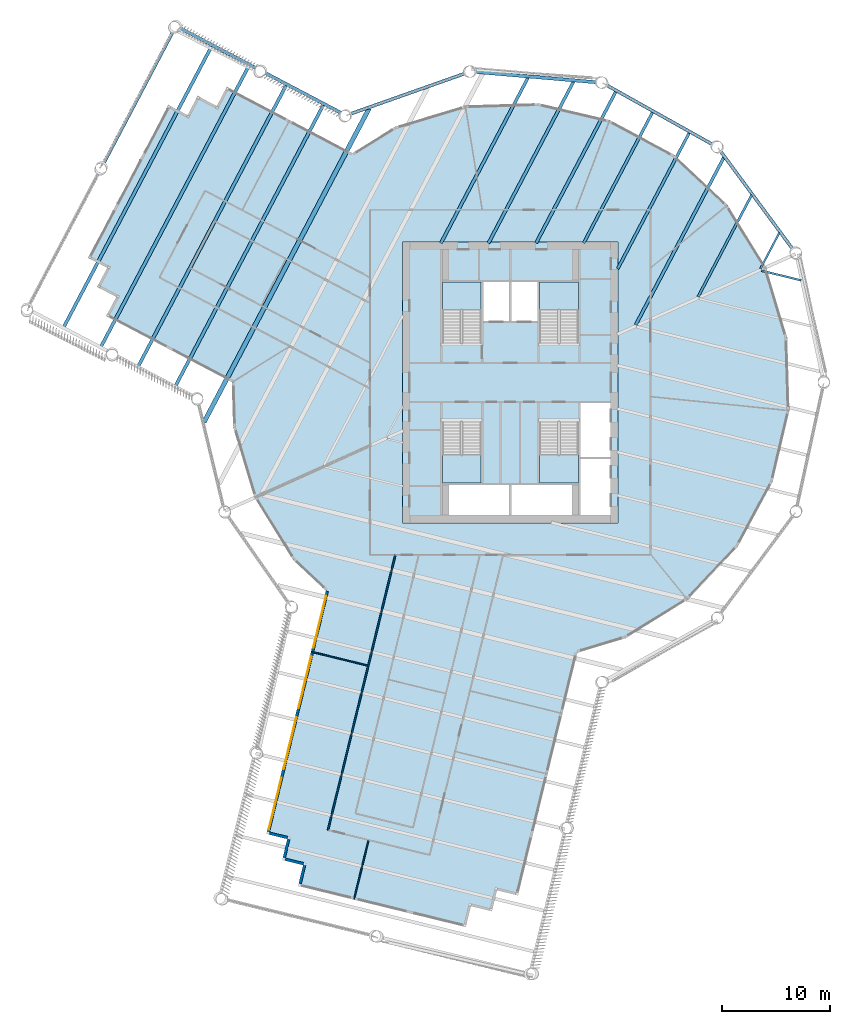
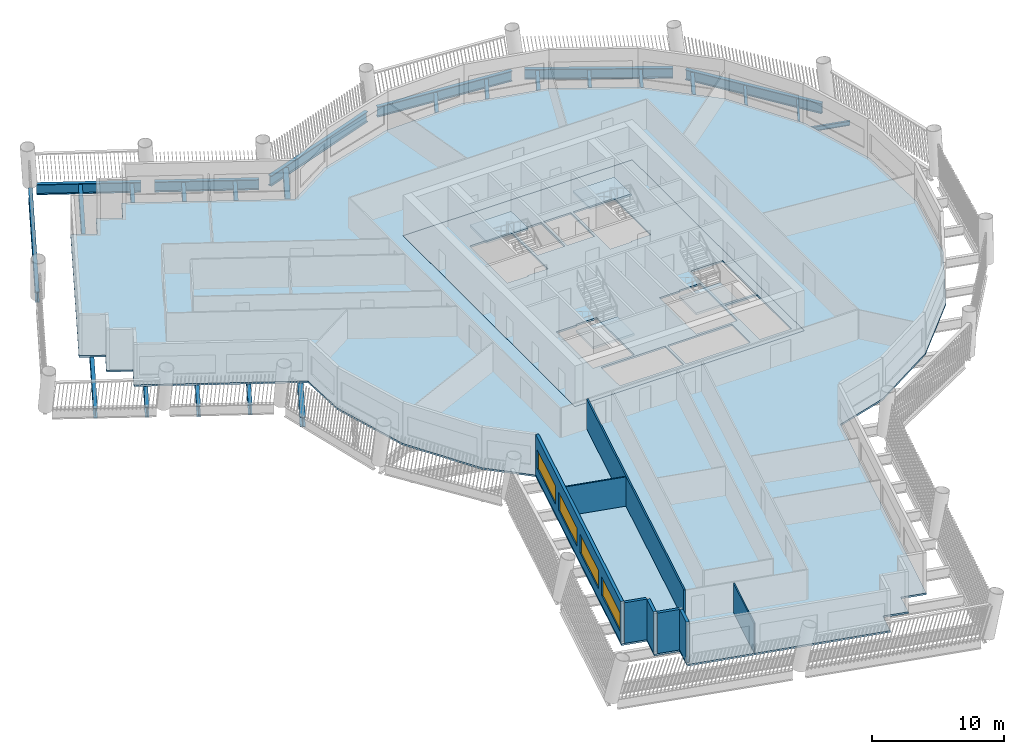
# One storey, part 2 of 15: 21 beams, 8 walls, 6 slabs, 4 windows, 4 openings, 4 elements without a shape of their own.
"""IFC4 building model written with IfcOpenShell, lengths in metres."""

from ifc_helpers import new_model, si_unit, direction, frame, frame_2d, origin, origin_2d, place, context, subcontext, project, spatial, polyline, rectangle, i_section, outline, extrude, material, layer, layer_set, material_profile, profile_set, type_object, element, fill, aggregate, save


model = new_model("IFC4")

# Units and contexts
model_context = context("Model", 3, precision=1e-05, world=origin(), true_north=direction((0.0, 1.0)))
body_context = subcontext(model_context, "Body", "Model", "MODEL_VIEW")
ifc_project = project(units=[si_unit("LENGTHUNIT", "METRE"), si_unit("AREAUNIT", "SQUARE_METRE"), si_unit("VOLUMEUNIT", "CUBIC_METRE"), si_unit("PLANEANGLEUNIT", "RADIAN"), si_unit("MASSUNIT", "GRAM", prefix="KILO")], contexts=[model_context])

# Site, building, storey
site_placement = place(None, origin())
site = spatial("IfcSite", under=ifc_project, at=site_placement, CompositionType="ELEMENT")
building_placement = place(site_placement, origin())
building = spatial("IfcBuilding", under=site, at=building_placement, Name="Tarsis Ring Headquarters", CompositionType="ELEMENT")
storey_placement = place(building_placement, frame((0.0, 0.0, 167.10009765625)))
storey = spatial("IfcBuildingStorey", under=building, at=storey_placement, Name="L38", CompositionType="ELEMENT", Elevation=167.10009765625)

# Beams
ifc_material_1 = material(Name="Structural steel S355", Category="steel")
ifc_material_profile_1 = material_profile(ifc_material_1, i_section(OverallWidth=0.177734375, OverallDepth=0.406494140625, WebThickness=0.0078125, FlangeThickness=0.0126953125, at=origin_2d()), Name="W16x40")
ifc_profile_set_1 = profile_set([ifc_material_profile_1], Name="Structural steel S355")
beam_type_1 = type_object("IfcBeamType", Name="FB Floor beam W16x40", PredefinedType="JOIST", material=ifc_profile_set_1)
for number, where, z_axis, x_axis, name in (
    (1, (23.251953125, 10.366943359375, -0.36328125), (0.971304874102, -0.237837847169, 0.0), (0.237837847169, 0.971304874102, 0.0), "Floor beam FB1"),
    (2, (24.947509765625, 13.904541015625, -0.36328125), (-0.465749077235, -0.884916830586, 0.0), (0.884916830586, -0.465749077235, 0.0), "Floor beam FB1"),
):
    element("IfcBeam", number, at=place(storey_placement, frame(where, z_axis=z_axis, x_axis=x_axis)), inside=storey, type_object=beam_type_1, Name=name, PredefinedType="JOIST", context=body_context, shape_type="SweptSolid", body=[
        extrude(i_section(OverallWidth=0.177734375, OverallDepth=0.406494140625, WebThickness=0.0078125, FlangeThickness=0.0126953125, at=origin_2d()), origin(), (0.0, 0.0, 1.0), 3.80517578125),
    ])
ifc_material_profile_2 = material_profile(ifc_material_1, i_section(OverallWidth=0.228271484375, OverallDepth=0.607177734375, WebThickness=0.01123046875, FlangeThickness=0.017333984375, at=origin_2d()), Name="W24x76")
ifc_profile_set_2 = profile_set([ifc_material_profile_2], Name="Structural steel S355")
beam_type_2 = type_object("IfcBeamType", Name="FB Floor beam W24x76", PredefinedType="JOIST", material=ifc_profile_set_2)
beam_1_placement = place(storey_placement, frame((22.375732421875, 17.391357421875, -0.463623046875), z_axis=(-0.465770918155, -0.884905334938, 0.0), x_axis=(0.884905334938, -0.465770918155, 0.0)))
element("IfcBeam", 3, at=beam_1_placement, inside=storey, type_object=beam_type_2, Name="Floor beam FB4", PredefinedType="JOIST", context=body_context, shape_type="SweptSolid", body=[
    extrude(i_section(OverallWidth=0.228271484375, OverallDepth=0.607177734375, WebThickness=0.01123046875, FlangeThickness=0.017333984375, at=origin_2d()), origin(), (0.0, 0.0, 1.0), 10.6845703125),
])
ifc_material_profile_3 = material_profile(ifc_material_1, i_section(OverallWidth=0.2666015625, OverallDepth=0.7568359375, WebThickness=0.013916015625, FlangeThickness=0.019287109375, at=origin_2d()), Name="W30x108")
ifc_profile_set_3 = profile_set([ifc_material_profile_3], Name="Structural steel S355")
beam_type_3 = type_object("IfcBeamType", Name="FB Floor beam W30x108", PredefinedType="JOIST", material=ifc_profile_set_3)
beam_2_placement = place(storey_placement, frame((16.608642578125, 23.18115234375, -0.53857421875), z_axis=(-0.465774601025, -0.884903396445, 0.0), x_axis=(0.884903396445, -0.465774601025, 0.0)))
element("IfcBeam", 4, at=beam_2_placement, inside=storey, type_object=beam_type_3, Name="Floor beam FB6", PredefinedType="JOIST", context=body_context, shape_type="SweptSolid", body=[
    extrude(i_section(OverallWidth=0.2666015625, OverallDepth=0.7568359375, WebThickness=0.013916015625, FlangeThickness=0.019287109375, at=origin_2d()), origin(), (0.0, 0.0, 1.0), 14.28857421875),
])
beam_3_placement = place(storey_placement, frame((13.20458984375, 25.087158203125, -0.53857421875), z_axis=(-0.465775684888, -0.884902825946, 0.0), x_axis=(0.884902825946, -0.465775684888, 0.0)))
element("IfcBeam", 5, at=beam_3_placement, inside=storey, type_object=beam_type_3, Name="Floor beam FB6", PredefinedType="JOIST", context=body_context, shape_type="SweptSolid", body=[
    extrude(i_section(OverallWidth=0.2666015625, OverallDepth=0.7568359375, WebThickness=0.013916015625, FlangeThickness=0.019287109375, at=origin_2d()), origin(), (0.0, 0.0, 1.0), 13.75927734375),
])
ifc_material_profile_4 = material_profile(ifc_material_1, i_section(OverallWidth=0.2919921875, OverallDepth=0.835693359375, WebThickness=0.013916015625, FlangeThickness=0.018798828125, at=origin_2d()), Name="W33x118")
ifc_profile_set_4 = profile_set([ifc_material_profile_4], Name="Structural steel S355")
beam_type_4 = type_object("IfcBeamType", Name="FB Floor beam W33x118", PredefinedType="JOIST", material=ifc_profile_set_4)
beam_4_placement = place(storey_placement, frame((19.8037109375, 20.87841796875, -0.577880859375), z_axis=(-0.465759036198, -0.884911588917, 0.0), x_axis=(0.884911588917, -0.465759036198, 0.0)))
element("IfcBeam", 6, at=beam_4_placement, inside=storey, type_object=beam_type_4, Name="Floor beam FB7", PredefinedType="JOIST", context=body_context, shape_type="SweptSolid", body=[
    extrude(i_section(OverallWidth=0.2919921875, OverallDepth=0.835693359375, WebThickness=0.013916015625, FlangeThickness=0.018798828125, at=origin_2d()), origin(), (0.0, 0.0, 1.0), 17.564208984375),
])
beam_5_placement = place(storey_placement, frame((9.800537109375, 26.9931640625, -0.577880859375), z_axis=(-0.465772357872, -0.884904577139, 0.0), x_axis=(0.884904577139, -0.465772357872, 0.0)))
element("IfcBeam", 7, at=beam_5_placement, inside=storey, type_object=beam_type_4, Name="Floor beam FB7", PredefinedType="JOIST", context=body_context, shape_type="SweptSolid", body=[
    extrude(i_section(OverallWidth=0.2919921875, OverallDepth=0.835693359375, WebThickness=0.013916015625, FlangeThickness=0.018798828125, at=origin_2d()), origin(), (0.0, 0.0, 1.0), 15.9130859375),
])
beam_6_placement = place(storey_placement, frame((5.88720703125, 27.931640625, -0.577880859375), z_axis=(-0.465768959671, -0.884906365785, 0.0), x_axis=(0.884906365785, -0.465768959671, 0.0)))
element("IfcBeam", 8, at=beam_6_placement, inside=storey, type_object=beam_type_4, Name="Floor beam FB7", PredefinedType="JOIST", context=body_context, shape_type="SweptSolid", body=[
    extrude(i_section(OverallWidth=0.2919921875, OverallDepth=0.835693359375, WebThickness=0.013916015625, FlangeThickness=0.018798828125, at=origin_2d()), origin(), (0.0, 0.0, 1.0), 16.9736328125),
])
beam_7_placement = place(storey_placement, frame((1.67041015625, 28.29345703125, -0.577880859375), z_axis=(-0.465768429798, -0.884906644683, 0.0), x_axis=(0.884906644683, -0.465768429798, 0.0)))
element("IfcBeam", 9, at=beam_7_placement, inside=storey, type_object=beam_type_4, Name="Floor beam FB7", PredefinedType="JOIST", context=body_context, shape_type="SweptSolid", body=[
    extrude(i_section(OverallWidth=0.2919921875, OverallDepth=0.835693359375, WebThickness=0.013916015625, FlangeThickness=0.018798828125, at=origin_2d()), origin(), (0.0, 0.0, 1.0), 17.38232421875),
])
ifc_material_profile_5 = material_profile(ifc_material_1, i_section(OverallWidth=0.309814453125, OverallDepth=0.949951171875, WebThickness=0.0244140625, FlangeThickness=0.0439453125, at=origin_2d()), Name="W36x256")
ifc_profile_set_5 = profile_set([ifc_material_profile_5], Name="Structural steel S355")
beam_type_5 = type_object("IfcBeamType", Name="FB Floor beam W36x256", PredefinedType="JOIST", material=ifc_profile_set_5)
beam_8_placement = place(storey_placement, frame((-17.2900390625, 25.763427734375, -0.635009765625), z_axis=(-0.465769975885, -0.884905830902, 0.0), x_axis=(0.884905830902, -0.465769975885, 0.0)))
element("IfcBeam", 10, at=beam_8_placement, inside=storey, type_object=beam_type_5, Name="Floor beam FB11", PredefinedType="JOIST", context=body_context, shape_type="SweptSolid", body=[
    extrude(i_section(OverallWidth=0.309814453125, OverallDepth=0.949951171875, WebThickness=0.0244140625, FlangeThickness=0.0439453125, at=origin_2d()), origin(), (0.0, 0.0, 1.0), 29.489990234375),
])
beam_9_placement = place(storey_placement, frame((-20.7412109375, 27.580078125, -0.635009765625), z_axis=(-0.465766563721, -0.884907626885, 0.0), x_axis=(0.884907626885, -0.465766563721, 0.0)))
element("IfcBeam", 11, at=beam_9_placement, inside=storey, type_object=beam_type_5, Name="Floor beam FB11", PredefinedType="JOIST", context=body_context, shape_type="SweptSolid", body=[
    extrude(i_section(OverallWidth=0.309814453125, OverallDepth=0.949951171875, WebThickness=0.0244140625, FlangeThickness=0.0439453125, at=origin_2d()), origin(), (0.0, 0.0, 1.0), 29.490234375),
])
for number, where, z_axis, x_axis, name in (
    (12, (-24.1923828125, 29.396484375, -0.635009765625), (-0.465769975885, -0.884905830902, 0.0), (0.884905830902, -0.465769975885, 0.0), "Floor beam FB11"),
    (13, (-27.6435546875, 31.212890625, -0.635009765625), (-0.465769975885, -0.884905830902, 0.0), (0.884905830902, -0.465769975885, 0.0), "Floor beam FB11"),
):
    element("IfcBeam", number, at=place(storey_placement, frame(where, z_axis=z_axis, x_axis=x_axis)), inside=storey, type_object=beam_type_5, Name=name, PredefinedType="JOIST", context=body_context, shape_type="SweptSolid", body=[
        extrude(i_section(OverallWidth=0.309814453125, OverallDepth=0.949951171875, WebThickness=0.0244140625, FlangeThickness=0.0439453125, at=origin_2d()), origin(), (0.0, 0.0, 1.0), 29.489990234375),
    ])
ifc_material_profile_6 = material_profile(ifc_material_1, i_section(OverallWidth=0.42431640625, OverallDepth=0.947509765625, WebThickness=0.02392578125, FlangeThickness=0.042724609375, at=origin_2d()), Name="W36x302")
ifc_profile_set_6 = profile_set([ifc_material_profile_6], Name="Structural steel S355")
beam_type_6 = type_object("IfcBeamType", Name="FB Floor beam W36x302", PredefinedType="JOIST", material=ifc_profile_set_6)
beam_10_placement = place(storey_placement, frame((-13.070556640625, 25.406982421875, -0.6337890625), z_axis=(-0.465768163792, -0.884906784694, 0.0), x_axis=(0.884906784694, -0.465768163792, 0.0)))
element("IfcBeam", 14, at=beam_10_placement, inside=storey, type_object=beam_type_6, Name="Floor beam FB12", PredefinedType="JOIST", context=body_context, shape_type="SweptSolid", body=[
    extrude(i_section(OverallWidth=0.42431640625, OverallDepth=0.947509765625, WebThickness=0.02392578125, FlangeThickness=0.042724609375, at=origin_2d()), origin(), (0.0, 0.0, 1.0), 32.875244140625),
])
beam_type_7 = type_object("IfcBeamType", Name="XG Ring girder W36x256", PredefinedType="BEAM", material=ifc_profile_set_5)
beam_11_placement = place(storey_placement, frame((26.18896484375, 12.330810546875, -0.47509765625), z_axis=(-0.593577482735, 0.804776846082, 0.0), x_axis=(-0.804776846082, -0.593577482735, 0.0)))
element("IfcBeam", 15, at=beam_11_placement, inside=storey, type_object=beam_type_7, Name="Ring girder XG2", PredefinedType="BEAM", context=body_context, shape_type="SweptSolid", body=[
    extrude(i_section(OverallWidth=0.309814453125, OverallDepth=0.949951171875, WebThickness=0.0244140625, FlangeThickness=0.0439453125, at=origin_2d()), origin(), (0.0, 0.0, 1.0), 11.242919921875),
])
for number, where, z_axis, x_axis, name in (
    (16, (18.778076171875, 22.029541015625, -0.47509765625), (-0.872533045363, 0.48855509899, 0.0), (-0.48855509899, -0.872533045363, 0.0), "Ring girder XG2"),
    (17, (8.0283203125, 27.81103515625, -0.47509765625), (-0.996338937471, 0.08549106198, 0.0), (-0.08549106198, -0.996338937471, 0.0), "Ring girder XG2"),
):
    element("IfcBeam", number, at=place(storey_placement, frame(where, z_axis=z_axis, x_axis=x_axis)), inside=storey, type_object=beam_type_7, Name=name, PredefinedType="BEAM", context=body_context, shape_type="SweptSolid", body=[
        extrude(i_section(OverallWidth=0.309814453125, OverallDepth=0.949951171875, WebThickness=0.0244140625, FlangeThickness=0.0439453125, at=origin_2d()), origin(), (0.0, 0.0, 1.0), 11.2431640625),
    ])
beam_12_placement = place(storey_placement, frame((-4.14892578125, 28.647705078125, -0.47509765625), z_axis=(-0.942995945943, -0.33280421562, 0.0), x_axis=(0.33280421562, -0.942995945943, 0.0)))
element("IfcBeam", 18, at=beam_12_placement, inside=storey, type_object=beam_type_7, Name="Ring girder XG2", PredefinedType="BEAM", context=body_context, shape_type="SweptSolid", body=[
    extrude(i_section(OverallWidth=0.309814453125, OverallDepth=0.949951171875, WebThickness=0.0244140625, FlangeThickness=0.0439453125, at=origin_2d()), origin(), (0.0, 0.0, 1.0), 11.242919921875),
])
for number, where, z_axis, x_axis, name in (
    (19, (-15.67041015625, 24.972900390625, -0.47509765625), (-0.884901455047, 0.465778289378, 0.0), (-0.465778289378, -0.884901455047, 0.0), "Ring girder XG2"),
    (20, (-23.548095703125, 29.119384765625, -0.47509765625), (-0.884901455047, 0.465778289378, 0.0), (-0.465778289378, -0.884901455047, 0.0), "Ring girder XG2"),
):
    element("IfcBeam", number, at=place(storey_placement, frame(where, z_axis=z_axis, x_axis=x_axis)), inside=storey, type_object=beam_type_7, Name=name, PredefinedType="BEAM", context=body_context, shape_type="SweptSolid", body=[
        extrude(i_section(OverallWidth=0.309814453125, OverallDepth=0.949951171875, WebThickness=0.0244140625, FlangeThickness=0.0439453125, at=origin_2d()), origin(), (0.0, 0.0, 1.0), 7.896484375),
    ])
beam_13_placement = place(storey_placement, frame((-31.21484375, 32.58642578125, -0.47509765625), z_axis=(-0.465763939668, -0.884909008037, 0.0), x_axis=(0.884909008037, -0.465763939668, 0.0)))
element("IfcBeam", 21, at=beam_13_placement, inside=storey, type_object=beam_type_7, Name="Ring girder XG2", PredefinedType="BEAM", context=body_context, shape_type="SweptSolid", body=[
    extrude(i_section(OverallWidth=0.309814453125, OverallDepth=0.949951171875, WebThickness=0.0244140625, FlangeThickness=0.0439453125, at=origin_2d()), origin(), (0.0, 0.0, 1.0), 13.794189453125),
])

# Slab
ifc_material_2 = material(Name="Concrete C40/50", Category="concrete")
ifc_layer_1 = layer(ifc_material_2, 0.159912109375)
ifc_layer_set_1 = layer_set([ifc_layer_1], Name="Core floor slab 160 C40/50")
slab_type_1 = type_object("IfcSlabType", Name="Core floor slab 160 C40/50", PredefinedType="FLOOR", material=ifc_layer_set_1)
slab_1_placement = place(storey_placement, frame((0.0, 0.0, -0.16015625)))
element("IfcSlab", 22, at=slab_1_placement, inside=storey, type_object=slab_type_1, Name="L38 core floor slab", PredefinedType="FLOOR", context=body_context, shape_type="SweptSolid", body=[
    extrude(outline(polyline([(-10.0, -13.0), (10.0, -13.0), (10.0, 13.0), (-10.0, 13.0), (-10.0, -13.0)]), holes=[polyline([(-2.5, 5.699951171875), (-0.10009765625, 5.699951171875), (-0.10009765625, 9.300048828125), (-2.5, 9.300048828125), (-2.5, 5.699951171875)]), polyline([(0.10009765625, 5.699951171875), (2.5, 5.699951171875), (2.5, 9.300048828125), (0.10009765625, 9.300048828125), (0.10009765625, 5.699951171875)]), polyline([(6.5, -12.300048828125), (9.300048828125, -12.300048828125), (9.300048828125, -7.10009765625), (6.5, -7.10009765625), (6.5, -12.300048828125)]), polyline([(6.5, -6.89990234375), (9.300048828125, -6.89990234375), (9.300048828125, -1.89990234375), (6.5, -1.89990234375), (6.5, -6.89990234375)]), polyline([(-5.699951171875, -12.300048828125), (-0.10009765625, -12.300048828125), (-0.10009765625, -9.5), (-5.699951171875, -9.5), (-5.699951171875, -12.300048828125)]), polyline([(0.10009765625, -12.300048828125), (5.699951171875, -12.300048828125), (5.699951171875, -9.5), (0.10009765625, -9.5), (0.10009765625, -12.300048828125)]), polyline([(-2.699951171875, 3.760009765625), (-2.699951171875, 9.300048828125), (-6.300048828125, 9.300048828125), (-6.300048828125, 3.659912109375), (-4.4599609375, 3.659912109375), (-4.4599609375, 3.760009765625), (-2.699951171875, 3.760009765625)]), polyline([(6.300048828125, 3.760009765625), (6.300048828125, 9.300048828125), (2.699951171875, 9.300048828125), (2.699951171875, 3.659912109375), (4.5400390625, 3.659912109375), (4.5400390625, 3.760009765625), (6.300048828125, 3.760009765625)]), polyline([(-6.300048828125, -3.760009765625), (-6.300048828125, -9.300048828125), (-2.699951171875, -9.300048828125), (-2.699951171875, -3.659912109375), (-4.5400390625, -3.659912109375), (-4.5400390625, -3.760009765625), (-6.300048828125, -3.760009765625)]), polyline([(2.699951171875, -3.760009765625), (2.699951171875, -9.300048828125), (6.300048828125, -9.300048828125), (6.300048828125, -3.659912109375), (4.4599609375, -3.659912109375), (4.4599609375, -3.760009765625), (2.699951171875, -3.760009765625)])]), origin(), (0.0, 0.0, 1.0), 0.16015625),
])

# Stair, slab
ifc_material_3 = material(Name="Core stair 1760")
stair_type = type_object("IfcStairType", Name="Core stair 1760", PredefinedType="HALF_TURN_STAIR", material=ifc_material_3)
stair_1_placement = place(storey_placement, origin())
stair_1 = element("IfcStair", 23, at=stair_1_placement, inside=storey, type_object=stair_type, Name="L38 Firefighting stair", PredefinedType="HALF_TURN_STAIR")
ifc_layer_2 = layer(ifc_material_2, 0.199951171875)
ifc_layer_set_2 = layer_set([ifc_layer_2], Name="Core stair landing 200")
slab_type_2 = type_object("IfcSlabType", Name="Core stair landing 200", PredefinedType="LANDING", material=ifc_layer_set_2)
slab_2_placement = place(storey_placement, frame((0.0, 0.0, 1.75)))
slab_2 = element("IfcSlab", 24, at=slab_2_placement, type_object=slab_type_2, Name="Stair ST1 landing 1", PredefinedType="LANDING", context=body_context, shape_type="SweptSolid", body=[
    extrude(outline(polyline([(-2.699951171875, 6.739990234375), (-2.699951171875, 9.300048828125), (-6.300048828125, 9.300048828125), (-6.300048828125, 6.739990234375), (-2.699951171875, 6.739990234375)])), origin(), (0.0, 0.0, 1.0), 0.199951171875),
])
aggregate(stair_1, [slab_2])

stair_2_placement = place(storey_placement, origin())
stair_2 = element("IfcStair", 25, at=stair_2_placement, inside=storey, type_object=stair_type, Name="L38 Exit stair B", PredefinedType="HALF_TURN_STAIR")
slab_3_placement = place(storey_placement, frame((0.0, 0.0, 1.75)))
slab_3 = element("IfcSlab", 26, at=slab_3_placement, type_object=slab_type_2, Name="Stair ST2 landing 1", PredefinedType="LANDING", context=body_context, shape_type="SweptSolid", body=[
    extrude(outline(polyline([(6.300048828125, 6.739990234375), (6.300048828125, 9.300048828125), (2.699951171875, 9.300048828125), (2.699951171875, 6.739990234375), (6.300048828125, 6.739990234375)])), origin(), (0.0, 0.0, 1.0), 0.199951171875),
])
aggregate(stair_2, [slab_3])

stair_3_placement = place(storey_placement, origin())
stair_3 = element("IfcStair", 27, at=stair_3_placement, inside=storey, type_object=stair_type, Name="L38 Exit stair C", PredefinedType="HALF_TURN_STAIR")
slab_4_placement = place(storey_placement, frame((0.0, 0.0, 1.75)))
slab_4 = element("IfcSlab", 28, at=slab_4_placement, type_object=slab_type_2, Name="Stair ST3 landing 1", PredefinedType="LANDING", context=body_context, shape_type="SweptSolid", body=[
    extrude(outline(polyline([(-6.300048828125, -6.739990234375), (-6.300048828125, -9.300048828125), (-2.699951171875, -9.300048828125), (-2.699951171875, -6.739990234375), (-6.300048828125, -6.739990234375)])), origin(), (0.0, 0.0, 1.0), 0.199951171875),
])
aggregate(stair_3, [slab_4])

stair_4_placement = place(storey_placement, origin())
stair_4 = element("IfcStair", 29, at=stair_4_placement, inside=storey, type_object=stair_type, Name="L38 Exit stair D", PredefinedType="HALF_TURN_STAIR")
slab_5_placement = place(storey_placement, frame((0.0, 0.0, 1.75)))
slab_5 = element("IfcSlab", 30, at=slab_5_placement, type_object=slab_type_2, Name="Stair ST4 landing 1", PredefinedType="LANDING", context=body_context, shape_type="SweptSolid", body=[
    extrude(outline(polyline([(2.699951171875, -6.739990234375), (2.699951171875, -9.300048828125), (6.300048828125, -9.300048828125), (6.300048828125, -6.739990234375), (2.699951171875, -6.739990234375)])), origin(), (0.0, 0.0, 1.0), 0.199951171875),
])
aggregate(stair_4, [slab_5])

# Slab
ifc_material_4 = material(Name="Concrete C35/45", Category="concrete")
ifc_layer_3 = layer(ifc_material_4, 0.159912109375)
ifc_layer_set_3 = layer_set([ifc_layer_3], Name="FS Composite floor slab 160")
slab_type_3 = type_object("IfcSlabType", Name="FS Composite floor slab 160", PredefinedType="FLOOR", material=ifc_layer_set_3)
slab_6_placement = place(storey_placement, frame((0.0, 0.0, -0.16015625)))
element("IfcSlab", 31, at=slab_6_placement, inside=storey, type_object=slab_type_3, Name="Floor slab L38", PredefinedType="FLOOR", context=body_context, shape_type="SweptSolid", body=[
    extrude(outline(polyline([(-25.789794921875, 0.013671875), (-25.66259765625, -4.1748046875), (-23.707763671875, -10.674560546875), (-20.136962890625, -16.44677734375), (-17.08544921875, -19.318603515625), (-22.596923828125, -41.825439453125), (-20.654296875, -42.30126953125), (-21.130126953125, -44.243896484375), (-19.1875, -44.719482421875), (-19.6630859375, -46.662109375), (-4.122314453125, -50.4677734375), (-3.646728515625, -48.525390625), (-1.7041015625, -49.0009765625), (-1.228271484375, -47.058349609375), (0.71435546875, -47.5341796875), (6.220947265625, -25.047119140625), (10.674560546875, -23.707763671875), (16.44677734375, -20.136962890625), (21.098388671875, -15.194091796875), (24.31201171875, -9.2158203125), (25.86865234375, -2.609375), (25.66259765625, 4.1748046875), (23.707763671875, 10.674560546875), (20.136962890625, 16.44677734375), (15.194091796875, 21.098388671875), (9.2158203125, 24.31201171875), (2.609375, 25.86865234375), (-4.1748046875, 25.66259765625), (-10.674560546875, 23.707763671875), (-14.629638671875, 21.260986328125), (-26.267333984375, 27.386474609375), (-27.198974609375, 25.61669921875), (-28.96875, 26.54833984375), (-29.900390625, 24.778564453125), (-31.670166015625, 25.7099609375), (-39.122314453125, 11.551513671875), (-37.3525390625, 10.619873046875), (-38.2841796875, 8.85009765625), (-36.514404296875, 7.918701171875), (-37.44580078125, 6.14892578125), (-25.789794921875, 0.013671875)]), holes=[polyline([(-10.0, -13.0), (-10.0, 13.0), (10.0, 13.0), (10.0, -13.0), (-10.0, -13.0)])]), origin(), (0.0, 0.0, 1.0), 0.16015625),
])

# Walls
ifc_material_5 = material(Name="Gypsum board on steel studs", Category="steel")
ifc_layer_4 = layer(ifc_material_5, 0.10009765625)
ifc_layer_set_4 = layer_set([ifc_layer_4], Name="FL partition 100 unrated")
wall_type_1 = type_object("IfcWallType", Name="FL partition 100 unrated", PredefinedType="PARTITIONING", material=ifc_layer_set_4)
wall_1_placement = place(storey_placement, frame((-14.474365234375, -47.88134765625, 0.0), z_axis=(0.0, 0.0, 1.0), x_axis=(0.23787968026, 0.971294629718, 0.0)))
element("IfcWall", 32, at=wall_1_placement, inside=storey, type_object=wall_type_1, Name="Partition PW3", PredefinedType="PARTITIONING", context=body_context, shape_type="SweptSolid", body=[
    extrude(rectangle(XDim=5.580078125, YDim=0.10009765625, at=frame_2d((2.7900390625, 0.0))), origin(), (0.0, 0.0, 1.0), 2.699951171875),
])
wall_2_placement = place(storey_placement, frame((-18.41455078125, -24.956298828125, 0.0), z_axis=(0.0, 0.0, 1.0), x_axis=(0.971306364965, -0.237831758557, 0.0)))
element("IfcWall", 33, at=wall_2_placement, inside=storey, type_object=wall_type_1, Name="Partition PW3", PredefinedType="PARTITIONING", context=body_context, shape_type="SweptSolid", body=[
    extrude(rectangle(XDim=5.340087890625, YDim=0.10009765625, at=frame_2d((2.669921875, 0.0))), origin(), (0.0, 0.0, 1.0), 2.699951171875),
])
ifc_layer_5 = layer(ifc_material_5, 0.125)
ifc_layer_set_5 = layer_set([ifc_layer_5], Name="FL partition 125 EI 60 H2770")
wall_type_2 = type_object("IfcWallType", Name="FL partition 125 EI 60 H2770", PredefinedType="PARTITIONING", material=ifc_layer_set_5)
wall_3_placement = place(storey_placement, frame((-16.889404296875, -41.472900390625, 0.0), z_axis=(0.0, 0.0, 1.0), x_axis=(0.237860663792, 0.971299286842, 0.0)))
element("IfcWall", 34, at=wall_3_placement, inside=storey, type_object=wall_type_2, Name="Partition PW1", PredefinedType="PARTITIONING", context=body_context, shape_type="SweptSolid", body=[
    extrude(rectangle(XDim=26.2255859375, YDim=0.125, at=frame_2d((13.11279296875, 0.0))), origin(), (0.0, 0.0, 1.0), 2.77001953125),
])

# Wall, openings, windows
ifc_material_6 = material(Name="Terracotta clad insulated panel wall", Category="masonry")
ifc_layer_6 = layer(ifc_material_6, 0.25)
ifc_layer_set_6 = layer_set([ifc_layer_6], Name="Facade wall terracotta panel 250")
wall_type_3 = type_object("IfcWallType", Name="Facade wall terracotta panel 250", PredefinedType="STANDARD", material=ifc_layer_set_6)
wall_4_placement = place(storey_placement, frame((-16.9638671875, -19.348388671875, 0.0), z_axis=(0.0, 0.0, 1.0), x_axis=(-0.237856425346, -0.971300324782, 0.0)))
wall_4 = element("IfcWall", 35, at=wall_4_placement, inside=storey, type_object=wall_type_3, Name="External wall L38-06", PredefinedType="STANDARD", context=body_context, shape_type="SweptSolid", body=[
    extrude(rectangle(XDim=22.922119140625, YDim=0.25, at=frame_2d((11.4609375, 0.0))), origin(), (0.0, 0.0, 1.0), 3.739990234375),
])
opening_1_placement = place(wall_4_placement, frame((0.42138671875, 0.0, 0.89990234375)))
opening_1 = element("IfcOpeningElement", 36, at=opening_1_placement, cuts=wall_4, Name="Opening WN05", PredefinedType="OPENING", context=body_context, shape_type="SweptSolid", body=[
    extrude(rectangle(XDim=4.949951171875, YDim=1.699951171875, at=frame_2d((2.47509765625, 0.85009765625))), frame((0.0, 0.135009765625, 0.0), z_axis=(0.0, -1.0, 0.0), x_axis=(1.0, 0.0, 0.0)), (0.0, 0.0, 1.0), 0.27001953125),
])
opening_2_placement = place(wall_4_placement, frame((6.214599609375, 0.0, 0.89990234375)))
opening_2 = element("IfcOpeningElement", 37, at=opening_2_placement, cuts=wall_4, Name="Opening WN05", PredefinedType="OPENING", context=body_context, shape_type="SweptSolid", body=[
    extrude(rectangle(XDim=4.949951171875, YDim=1.699951171875, at=frame_2d((2.47509765625, 0.85009765625))), frame((0.0, 0.135009765625, 0.0), z_axis=(0.0, -1.0, 0.0), x_axis=(1.0, 0.0, 0.0)), (0.0, 0.0, 1.0), 0.27001953125),
])
opening_3_placement = place(wall_4_placement, frame((12.007568359375, 0.0, 0.89990234375)))
opening_3 = element("IfcOpeningElement", 38, at=opening_3_placement, cuts=wall_4, Name="Opening WN05", PredefinedType="OPENING", context=body_context, shape_type="SweptSolid", body=[
    extrude(rectangle(XDim=4.949951171875, YDim=1.699951171875, at=frame_2d((2.47509765625, 0.85009765625))), frame((0.0, 0.135009765625, 0.0), z_axis=(0.0, -1.0, 0.0), x_axis=(1.0, 0.0, 0.0)), (0.0, 0.0, 1.0), 0.27001953125),
])
opening_4_placement = place(wall_4_placement, frame((17.800537109375, 0.0, 0.89990234375)))
opening_4 = element("IfcOpeningElement", 39, at=opening_4_placement, cuts=wall_4, Name="Opening WN05", PredefinedType="OPENING", context=body_context, shape_type="SweptSolid", body=[
    extrude(rectangle(XDim=4.949951171875, YDim=1.699951171875, at=frame_2d((2.47509765625, 0.85009765625))), frame((0.0, 0.135009765625, 0.0), z_axis=(0.0, -1.0, 0.0), x_axis=(1.0, 0.0, 0.0)), (0.0, 0.0, 1.0), 0.27001953125),
])
ifc_material_7 = material(Name="Aluminium framed double glazing", Category="aluminium")
window_type = type_object("IfcWindowType", Name="Facade window 4950 x 1700", PartitioningType="SINGLE_PANEL", PredefinedType="WINDOW", material=ifc_material_7)
window_1_placement = place(opening_1_placement, origin())
window_1 = element("IfcWindow", 40, at=window_1_placement, inside=storey, type_object=window_type, Name="Window L38-06.1", OverallHeight=1.699951171875, OverallWidth=4.949951171875, PartitioningType="SINGLE_PANEL", PredefinedType="WINDOW", context=body_context, shape_type="SweptSolid", body=[
    extrude(rectangle(XDim=4.949951171875, YDim=1.699951171875, at=frame_2d((2.47509765625, 0.85009765625))), frame((0.0, 0.030029296875, 0.0), z_axis=(0.0, -1.0, 0.0), x_axis=(1.0, 0.0, 0.0)), (0.0, 0.0, 1.0), 0.06005859375),
])
fill(opening_1, window_1)
window_2_placement = place(opening_2_placement, origin())
window_2 = element("IfcWindow", 41, at=window_2_placement, inside=storey, type_object=window_type, Name="Window L38-06.2", OverallHeight=1.699951171875, OverallWidth=4.949951171875, PartitioningType="SINGLE_PANEL", PredefinedType="WINDOW", context=body_context, shape_type="SweptSolid", body=[
    extrude(rectangle(XDim=4.949951171875, YDim=1.699951171875, at=frame_2d((2.47509765625, 0.85009765625))), frame((0.0, 0.030029296875, 0.0), z_axis=(0.0, -1.0, 0.0), x_axis=(1.0, 0.0, 0.0)), (0.0, 0.0, 1.0), 0.06005859375),
])
fill(opening_2, window_2)
window_3_placement = place(opening_3_placement, origin())
window_3 = element("IfcWindow", 42, at=window_3_placement, inside=storey, type_object=window_type, Name="Window L38-06.3", OverallHeight=1.699951171875, OverallWidth=4.949951171875, PartitioningType="SINGLE_PANEL", PredefinedType="WINDOW", context=body_context, shape_type="SweptSolid", body=[
    extrude(rectangle(XDim=4.949951171875, YDim=1.699951171875, at=frame_2d((2.47509765625, 0.85009765625))), frame((0.0, 0.030029296875, 0.0), z_axis=(0.0, -1.0, 0.0), x_axis=(1.0, 0.0, 0.0)), (0.0, 0.0, 1.0), 0.06005859375),
])
fill(opening_3, window_3)
window_4_placement = place(opening_4_placement, origin())
window_4 = element("IfcWindow", 43, at=window_4_placement, inside=storey, type_object=window_type, Name="Window L38-06.4", OverallHeight=1.699951171875, OverallWidth=4.949951171875, PartitioningType="SINGLE_PANEL", PredefinedType="WINDOW", context=body_context, shape_type="SweptSolid", body=[
    extrude(rectangle(XDim=4.949951171875, YDim=1.699951171875, at=frame_2d((2.47509765625, 0.85009765625))), frame((0.0, 0.030029296875, 0.0), z_axis=(0.0, -1.0, 0.0), x_axis=(1.0, 0.0, 0.0)), (0.0, 0.0, 1.0), 0.06005859375),
])
fill(opening_4, window_4)

# Walls
wall_5_placement = place(storey_placement, frame((-22.324462890625, -41.763671875, 0.0), z_axis=(0.0, 0.0, 1.0), x_axis=(0.971304546293, -0.237839185901, 0.0)))
element("IfcWall", 44, at=wall_5_placement, inside=storey, type_object=wall_type_3, Name="External wall L38-07", PredefinedType="STANDARD", context=body_context, shape_type="SweptSolid", body=[
    extrude(rectangle(XDim=1.750244140625, YDim=0.25, at=frame_2d((0.875, 0.0))), origin(), (0.0, 0.0, 1.0), 3.739990234375),
])
for number, where, z_axis, x_axis, name in (
    (45, (-20.532958984375, -42.3310546875, 0.0), (0.0, 0.0, 1.0), (-0.237871415503, -0.971296653802, 0.0), "External wall L38-08"),
    (46, (-20.857421875, -44.181884765625, 0.0), (0.0, 0.0, 1.0), (0.971296653802, -0.237871415503, 0.0), "External wall L38-09"),
    (47, (-19.066162109375, -44.749267578125, 0.0), (0.0, 0.0, 1.0), (-0.237871415503, -0.971296653802, 0.0), "External wall L38-10"),
):
    element("IfcWall", number, at=place(storey_placement, frame(where, z_axis=z_axis, x_axis=x_axis)), inside=storey, type_object=wall_type_3, Name=name, PredefinedType="STANDARD", context=body_context, shape_type="SweptSolid", body=[
        extrude(rectangle(XDim=1.75, YDim=0.25, at=frame_2d((0.875, 0.0))), origin(), (0.0, 0.0, 1.0), 3.739990234375),
    ])

save(model, "model.ifc")
